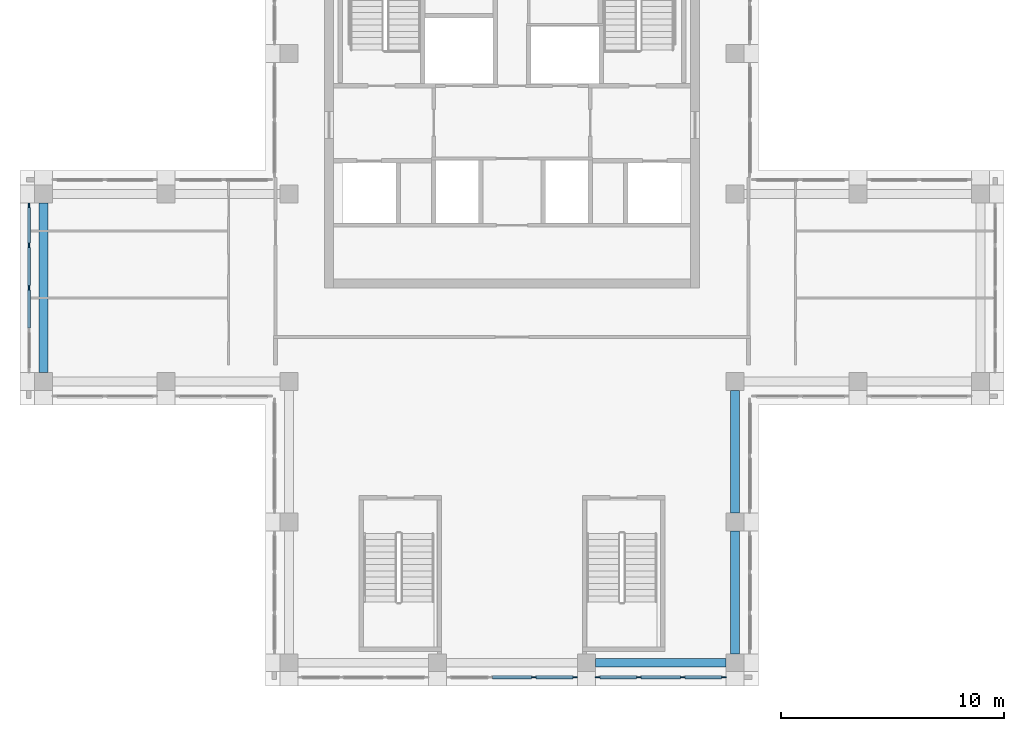
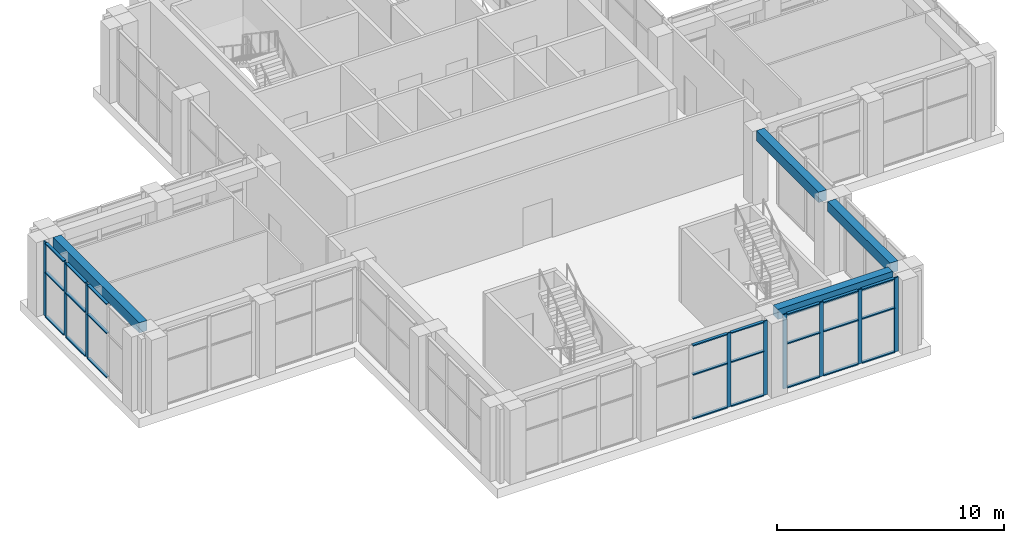
# One storey, part 3 of 14: 33 members, 4 beams, 3 elements without a shape of their own.
"""IFC4 building model written with IfcOpenShell, lengths in metres."""

from ifc_helpers import new_model, si_unit, direction, frame, origin, origin_2d, place, context, subcontext, project, spatial, rectangle, extrude, material, material_profile, profile_set, type_object, element, aggregate, save


model = new_model("IFC4")

# Units and contexts
model_context = context("Model", 3, precision=1e-05, world=origin(), true_north=direction((0.0, 1.0)))
body_context = subcontext(model_context, "Body", "Model", "MODEL_VIEW")
ifc_project = project(units=[si_unit("LENGTHUNIT", "METRE"), si_unit("AREAUNIT", "SQUARE_METRE"), si_unit("VOLUMEUNIT", "CUBIC_METRE"), si_unit("PLANEANGLEUNIT", "RADIAN"), si_unit("MASSUNIT", "GRAM", prefix="KILO")], contexts=[model_context])

# Site, building, storey
site_placement = place(None, origin())
site = spatial("IfcSite", under=ifc_project, at=site_placement, CompositionType="ELEMENT")
building_placement = place(site_placement, origin())
building = spatial("IfcBuilding", under=site, at=building_placement, Name="Vermilion Ogive Tower", CompositionType="ELEMENT")
storey_placement = place(building_placement, frame((0.0, 0.0, 289.35009765625)))
storey = spatial("IfcBuildingStorey", under=building, at=storey_placement, Name="L75", CompositionType="ELEMENT", Elevation=289.35009765625)

# Curtain wall, members
ifc_material_1 = material(Name="Low-iron laminated glazing in aluminium frame", Category="aluminium")
curtain_wall_type = type_object("IfcCurtainWallType", Name="Curtain wall CW3", PredefinedType="NOTDEFINED", material=ifc_material_1)
curtain_wall_1_placement = place(storey_placement, origin())
curtain_wall_1 = element("IfcCurtainWall", 1, at=curtain_wall_1_placement, inside=storey, type_object=curtain_wall_type, Name="CW3 glazing S2", PredefinedType="NOTDEFINED")
ifc_material_2 = material(Name="Aluminium mullion", Category="aluminium")
ifc_material_profile_1 = material_profile(ifc_material_2, rectangle(XDim=0.06005859375, YDim=0.199951171875, at=origin_2d()), Name="AL 60x200")
ifc_profile_set_1 = profile_set([ifc_material_profile_1], Name="Aluminium mullion")
member_type_1 = type_object("IfcMemberType", Name="CW3 mullion 60x200", PredefinedType="MULLION", material=ifc_profile_set_1)
member_1_placement = place(storey_placement, frame((0.977783203125, -13.25, 0.0), z_axis=(0.0, 0.0, 1.0), x_axis=(0.0, 1.0, 0.0)))
member_1 = element("IfcMember", 2, at=member_1_placement, type_object=member_type_1, Name="CW3-S2 mullion 3", PredefinedType="MULLION", context=body_context, shape_type="SweptSolid", body=[
    extrude(rectangle(XDim=0.06005859375, YDim=0.199951171875, at=origin_2d()), origin(), (0.0, 0.0, 1.0), 4.0),
])
member_2_placement = place(storey_placement, frame((2.833251953125, -13.25, 0.0), z_axis=(0.0, 0.0, 1.0), x_axis=(0.0, 1.0, 0.0)))
member_2 = element("IfcMember", 3, at=member_2_placement, type_object=member_type_1, Name="CW3-S2 mullion 4", PredefinedType="MULLION", context=body_context, shape_type="SweptSolid", body=[
    extrude(rectangle(XDim=0.06005859375, YDim=0.199951171875, at=origin_2d()), origin(), (0.0, 0.0, 1.0), 4.0),
])

curtain_wall_2_placement = place(storey_placement, origin())
curtain_wall_2 = element("IfcCurtainWall", 4, at=curtain_wall_2_placement, inside=storey, type_object=curtain_wall_type, Name="CW3 glazing S3", PredefinedType="NOTDEFINED")
member_3_placement = place(storey_placement, frame((3.833251953125, -13.25, 0.0), z_axis=(0.0, 0.0, 1.0), x_axis=(0.0, 1.0, 0.0)))
member_3 = element("IfcMember", 5, at=member_3_placement, type_object=member_type_1, Name="CW3-S3 mullion 1", PredefinedType="MULLION", context=body_context, shape_type="SweptSolid", body=[
    extrude(rectangle(XDim=0.06005859375, YDim=0.199951171875, at=origin_2d()), origin(), (0.0, 0.0, 1.0), 4.0),
])
member_4_placement = place(storey_placement, frame((5.68896484375, -13.25, 0.0), z_axis=(0.0, 0.0, 1.0), x_axis=(0.0, 1.0, 0.0)))
member_4 = element("IfcMember", 6, at=member_4_placement, type_object=member_type_1, Name="CW3-S3 mullion 2", PredefinedType="MULLION", context=body_context, shape_type="SweptSolid", body=[
    extrude(rectangle(XDim=0.06005859375, YDim=0.199951171875, at=origin_2d()), origin(), (0.0, 0.0, 1.0), 4.0),
])
member_5_placement = place(storey_placement, frame((7.64453125, -13.25, 0.0), z_axis=(0.0, 0.0, 1.0), x_axis=(0.0, 1.0, 0.0)))
member_5 = element("IfcMember", 7, at=member_5_placement, type_object=member_type_1, Name="CW3-S3 mullion 3", PredefinedType="MULLION", context=body_context, shape_type="SweptSolid", body=[
    extrude(rectangle(XDim=0.06005859375, YDim=0.199951171875, at=origin_2d()), origin(), (0.0, 0.0, 1.0), 4.0),
])
member_6_placement = place(storey_placement, frame((9.5, -13.25, 0.0), z_axis=(0.0, 0.0, 1.0), x_axis=(0.0, 1.0, 0.0)))
member_6 = element("IfcMember", 8, at=member_6_placement, type_object=member_type_1, Name="CW3-S3 mullion 4", PredefinedType="MULLION", context=body_context, shape_type="SweptSolid", body=[
    extrude(rectangle(XDim=0.06005859375, YDim=0.199951171875, at=origin_2d()), origin(), (0.0, 0.0, 1.0), 4.0),
])

curtain_wall_3_placement = place(storey_placement, origin())
curtain_wall_3 = element("IfcCurtainWall", 9, at=curtain_wall_3_placement, inside=storey, type_object=curtain_wall_type, Name="CW3 glazing W1", PredefinedType="NOTDEFINED")
member_7_placement = place(storey_placement, frame((-21.64990234375, 7.89990234375, 0.0), z_axis=(0.0, 0.0, 1.0), x_axis=(1.0, 0.0, 0.0)))
member_7 = element("IfcMember", 10, at=member_7_placement, type_object=member_type_1, Name="CW3-W1 mullion 1", PredefinedType="MULLION", context=body_context, shape_type="SweptSolid", body=[
    extrude(rectangle(XDim=0.06005859375, YDim=0.199951171875, at=origin_2d()), origin(), (0.0, 0.0, 1.0), 4.0),
])
member_8_placement = place(storey_placement, frame((-21.64990234375, 6.10009765625, 0.0), z_axis=(0.0, 0.0, 1.0), x_axis=(1.0, 0.0, 0.0)))
member_8 = element("IfcMember", 11, at=member_8_placement, type_object=member_type_1, Name="CW3-W1 mullion 2", PredefinedType="MULLION", context=body_context, shape_type="SweptSolid", body=[
    extrude(rectangle(XDim=0.06005859375, YDim=0.199951171875, at=origin_2d()), origin(), (0.0, 0.0, 1.0), 4.0),
])
member_9_placement = place(storey_placement, frame((-21.64990234375, 4.199951171875, 0.0), z_axis=(0.0, 0.0, 1.0), x_axis=(1.0, 0.0, 0.0)))
member_9 = element("IfcMember", 12, at=member_9_placement, type_object=member_type_1, Name="CW3-W1 mullion 3", PredefinedType="MULLION", context=body_context, shape_type="SweptSolid", body=[
    extrude(rectangle(XDim=0.06005859375, YDim=0.199951171875, at=origin_2d()), origin(), (0.0, 0.0, 1.0), 4.0),
])

# Member
ifc_material_3 = material(Name="Aluminium transom", Category="aluminium")
ifc_material_profile_2 = material_profile(ifc_material_3, rectangle(XDim=0.14990234375, YDim=0.06005859375, at=origin_2d()), Name="AL 60x150")
ifc_profile_set_2 = profile_set([ifc_material_profile_2], Name="Aluminium transom")
member_type_2 = type_object("IfcMemberType", Name="CW3 transom 60x150", PredefinedType="USERDEFINED", material=ifc_profile_set_2)
member_10_placement = place(storey_placement, frame((-0.877685546875, -13.25, 0.02978515625), z_axis=(1.0, 0.0, 0.0), x_axis=(0.0, 1.0, 0.0)))
member_10 = element("IfcMember", 13, at=member_10_placement, type_object=member_type_2, Name="CW3-S2 transom 2.1", ObjectType="TRANSOM", PredefinedType="USERDEFINED", context=body_context, shape_type="SweptSolid", body=[
    extrude(rectangle(XDim=0.14990234375, YDim=0.06005859375, at=origin_2d()), origin(), (0.0, 0.0, 1.0), 1.75537109375),
])

member_11_placement = place(storey_placement, frame((-0.877685546875, -13.25, 2.39990234375), z_axis=(1.0, 0.0, 0.0), x_axis=(0.0, 1.0, 0.0)))
member_11 = element("IfcMember", 14, at=member_11_placement, type_object=member_type_2, Name="CW3-S2 transom 2.2", ObjectType="TRANSOM", PredefinedType="USERDEFINED", context=body_context, shape_type="SweptSolid", body=[
    extrude(rectangle(XDim=0.14990234375, YDim=0.06005859375, at=origin_2d()), origin(), (0.0, 0.0, 1.0), 1.75537109375),
])

member_12_placement = place(storey_placement, frame((-0.877685546875, -13.25, 3.969970703125), z_axis=(1.0, 0.0, 0.0), x_axis=(0.0, 1.0, 0.0)))
member_12 = element("IfcMember", 15, at=member_12_placement, type_object=member_type_2, Name="CW3-S2 transom 2.3", ObjectType="TRANSOM", PredefinedType="USERDEFINED", context=body_context, shape_type="SweptSolid", body=[
    extrude(rectangle(XDim=0.14990234375, YDim=0.06005859375, at=origin_2d()), origin(), (0.0, 0.0, 1.0), 1.75537109375),
])

member_13_placement = place(storey_placement, frame((1.077880859375, -13.25, 0.02978515625), z_axis=(1.0, 0.0, 0.0), x_axis=(0.0, 1.0, 0.0)))
member_13 = element("IfcMember", 16, at=member_13_placement, type_object=member_type_2, Name="CW3-S2 transom 3.1", ObjectType="TRANSOM", PredefinedType="USERDEFINED", context=body_context, shape_type="SweptSolid", body=[
    extrude(rectangle(XDim=0.14990234375, YDim=0.06005859375, at=origin_2d()), origin(), (0.0, 0.0, 1.0), 1.655517578125),
])

member_14_placement = place(storey_placement, frame((1.077880859375, -13.25, 2.39990234375), z_axis=(1.0, 0.0, 0.0), x_axis=(0.0, 1.0, 0.0)))
member_14 = element("IfcMember", 17, at=member_14_placement, type_object=member_type_2, Name="CW3-S2 transom 3.2", ObjectType="TRANSOM", PredefinedType="USERDEFINED", context=body_context, shape_type="SweptSolid", body=[
    extrude(rectangle(XDim=0.14990234375, YDim=0.06005859375, at=origin_2d()), origin(), (0.0, 0.0, 1.0), 1.655517578125),
])

member_15_placement = place(storey_placement, frame((1.077880859375, -13.25, 3.969970703125), z_axis=(1.0, 0.0, 0.0), x_axis=(0.0, 1.0, 0.0)))
member_15 = element("IfcMember", 18, at=member_15_placement, type_object=member_type_2, Name="CW3-S2 transom 3.3", ObjectType="TRANSOM", PredefinedType="USERDEFINED", context=body_context, shape_type="SweptSolid", body=[
    extrude(rectangle(XDim=0.14990234375, YDim=0.06005859375, at=origin_2d()), origin(), (0.0, 0.0, 1.0), 1.655517578125),
])

aggregate(curtain_wall_1, [member_1, member_2, member_10, member_11, member_12, member_13, member_14, member_15])

member_16_placement = place(storey_placement, frame((3.933349609375, -13.25, 0.02978515625), z_axis=(1.0, 0.0, 0.0), x_axis=(0.0, 1.0, 0.0)))
member_16 = element("IfcMember", 19, at=member_16_placement, type_object=member_type_2, Name="CW3-S3 transom 1.1", ObjectType="TRANSOM", PredefinedType="USERDEFINED", context=body_context, shape_type="SweptSolid", body=[
    extrude(rectangle(XDim=0.14990234375, YDim=0.06005859375, at=origin_2d()), origin(), (0.0, 0.0, 1.0), 1.655517578125),
])

member_17_placement = place(storey_placement, frame((3.933349609375, -13.25, 2.39990234375), z_axis=(1.0, 0.0, 0.0), x_axis=(0.0, 1.0, 0.0)))
member_17 = element("IfcMember", 20, at=member_17_placement, type_object=member_type_2, Name="CW3-S3 transom 1.2", ObjectType="TRANSOM", PredefinedType="USERDEFINED", context=body_context, shape_type="SweptSolid", body=[
    extrude(rectangle(XDim=0.14990234375, YDim=0.06005859375, at=origin_2d()), origin(), (0.0, 0.0, 1.0), 1.655517578125),
])

member_18_placement = place(storey_placement, frame((3.933349609375, -13.25, 3.969970703125), z_axis=(1.0, 0.0, 0.0), x_axis=(0.0, 1.0, 0.0)))
member_18 = element("IfcMember", 21, at=member_18_placement, type_object=member_type_2, Name="CW3-S3 transom 1.3", ObjectType="TRANSOM", PredefinedType="USERDEFINED", context=body_context, shape_type="SweptSolid", body=[
    extrude(rectangle(XDim=0.14990234375, YDim=0.06005859375, at=origin_2d()), origin(), (0.0, 0.0, 1.0), 1.655517578125),
])

member_19_placement = place(storey_placement, frame((5.788818359375, -13.25, 0.02978515625), z_axis=(1.0, 0.0, 0.0), x_axis=(0.0, 1.0, 0.0)))
member_19 = element("IfcMember", 22, at=member_19_placement, type_object=member_type_2, Name="CW3-S3 transom 2.1", ObjectType="TRANSOM", PredefinedType="USERDEFINED", context=body_context, shape_type="SweptSolid", body=[
    extrude(rectangle(XDim=0.14990234375, YDim=0.06005859375, at=origin_2d()), origin(), (0.0, 0.0, 1.0), 1.755615234375),
])

member_20_placement = place(storey_placement, frame((5.788818359375, -13.25, 2.39990234375), z_axis=(1.0, 0.0, 0.0), x_axis=(0.0, 1.0, 0.0)))
member_20 = element("IfcMember", 23, at=member_20_placement, type_object=member_type_2, Name="CW3-S3 transom 2.2", ObjectType="TRANSOM", PredefinedType="USERDEFINED", context=body_context, shape_type="SweptSolid", body=[
    extrude(rectangle(XDim=0.14990234375, YDim=0.06005859375, at=origin_2d()), origin(), (0.0, 0.0, 1.0), 1.755615234375),
])

member_21_placement = place(storey_placement, frame((5.788818359375, -13.25, 3.969970703125), z_axis=(1.0, 0.0, 0.0), x_axis=(0.0, 1.0, 0.0)))
member_21 = element("IfcMember", 24, at=member_21_placement, type_object=member_type_2, Name="CW3-S3 transom 2.3", ObjectType="TRANSOM", PredefinedType="USERDEFINED", context=body_context, shape_type="SweptSolid", body=[
    extrude(rectangle(XDim=0.14990234375, YDim=0.06005859375, at=origin_2d()), origin(), (0.0, 0.0, 1.0), 1.755615234375),
])

member_22_placement = place(storey_placement, frame((7.744384765625, -13.25, 0.02978515625), z_axis=(1.0, 0.0, 0.0), x_axis=(0.0, 1.0, 0.0)))
member_22 = element("IfcMember", 25, at=member_22_placement, type_object=member_type_2, Name="CW3-S3 transom 3.1", ObjectType="TRANSOM", PredefinedType="USERDEFINED", context=body_context, shape_type="SweptSolid", body=[
    extrude(rectangle(XDim=0.14990234375, YDim=0.06005859375, at=origin_2d()), origin(), (0.0, 0.0, 1.0), 1.655517578125),
])

member_23_placement = place(storey_placement, frame((7.744384765625, -13.25, 2.39990234375), z_axis=(1.0, 0.0, 0.0), x_axis=(0.0, 1.0, 0.0)))
member_23 = element("IfcMember", 26, at=member_23_placement, type_object=member_type_2, Name="CW3-S3 transom 3.2", ObjectType="TRANSOM", PredefinedType="USERDEFINED", context=body_context, shape_type="SweptSolid", body=[
    extrude(rectangle(XDim=0.14990234375, YDim=0.06005859375, at=origin_2d()), origin(), (0.0, 0.0, 1.0), 1.655517578125),
])

member_24_placement = place(storey_placement, frame((7.744384765625, -13.25, 3.969970703125), z_axis=(1.0, 0.0, 0.0), x_axis=(0.0, 1.0, 0.0)))
member_24 = element("IfcMember", 27, at=member_24_placement, type_object=member_type_2, Name="CW3-S3 transom 3.3", ObjectType="TRANSOM", PredefinedType="USERDEFINED", context=body_context, shape_type="SweptSolid", body=[
    extrude(rectangle(XDim=0.14990234375, YDim=0.06005859375, at=origin_2d()), origin(), (0.0, 0.0, 1.0), 1.655517578125),
])

aggregate(curtain_wall_2, [member_3, member_4, member_5, member_6, member_16, member_17, member_18, member_19, member_20, member_21, member_22, member_23, member_24])

member_25_placement = place(storey_placement, frame((-21.64990234375, 7.800048828125, 0.02978515625), z_axis=(0.0, -1.0, 0.0), x_axis=(1.0, 0.0, 0.0)))
member_25 = element("IfcMember", 28, at=member_25_placement, type_object=member_type_2, Name="CW3-W1 transom 1.1", ObjectType="TRANSOM", PredefinedType="USERDEFINED", context=body_context, shape_type="SweptSolid", body=[
    extrude(rectangle(XDim=0.14990234375, YDim=0.06005859375, at=origin_2d()), origin(), (0.0, 0.0, 1.0), 1.60009765625),
])

member_26_placement = place(storey_placement, frame((-21.64990234375, 7.800048828125, 2.39990234375), z_axis=(0.0, -1.0, 0.0), x_axis=(1.0, 0.0, 0.0)))
member_26 = element("IfcMember", 29, at=member_26_placement, type_object=member_type_2, Name="CW3-W1 transom 1.2", ObjectType="TRANSOM", PredefinedType="USERDEFINED", context=body_context, shape_type="SweptSolid", body=[
    extrude(rectangle(XDim=0.14990234375, YDim=0.06005859375, at=origin_2d()), origin(), (0.0, 0.0, 1.0), 1.60009765625),
])

member_27_placement = place(storey_placement, frame((-21.64990234375, 7.800048828125, 3.969970703125), z_axis=(0.0, -1.0, 0.0), x_axis=(1.0, 0.0, 0.0)))
member_27 = element("IfcMember", 30, at=member_27_placement, type_object=member_type_2, Name="CW3-W1 transom 1.3", ObjectType="TRANSOM", PredefinedType="USERDEFINED", context=body_context, shape_type="SweptSolid", body=[
    extrude(rectangle(XDim=0.14990234375, YDim=0.06005859375, at=origin_2d()), origin(), (0.0, 0.0, 1.0), 1.60009765625),
])

member_28_placement = place(storey_placement, frame((-21.64990234375, 6.0, 0.02978515625), z_axis=(0.0, -1.0, 0.0), x_axis=(1.0, 0.0, 0.0)))
member_28 = element("IfcMember", 31, at=member_28_placement, type_object=member_type_2, Name="CW3-W1 transom 2.1", ObjectType="TRANSOM", PredefinedType="USERDEFINED", context=body_context, shape_type="SweptSolid", body=[
    extrude(rectangle(XDim=0.14990234375, YDim=0.06005859375, at=origin_2d()), origin(), (0.0, 0.0, 1.0), 1.699951171875),
])

member_29_placement = place(storey_placement, frame((-21.64990234375, 6.0, 2.39990234375), z_axis=(0.0, -1.0, 0.0), x_axis=(1.0, 0.0, 0.0)))
member_29 = element("IfcMember", 32, at=member_29_placement, type_object=member_type_2, Name="CW3-W1 transom 2.2", ObjectType="TRANSOM", PredefinedType="USERDEFINED", context=body_context, shape_type="SweptSolid", body=[
    extrude(rectangle(XDim=0.14990234375, YDim=0.06005859375, at=origin_2d()), origin(), (0.0, 0.0, 1.0), 1.699951171875),
])

member_30_placement = place(storey_placement, frame((-21.64990234375, 6.0, 3.969970703125), z_axis=(0.0, -1.0, 0.0), x_axis=(1.0, 0.0, 0.0)))
member_30 = element("IfcMember", 33, at=member_30_placement, type_object=member_type_2, Name="CW3-W1 transom 2.3", ObjectType="TRANSOM", PredefinedType="USERDEFINED", context=body_context, shape_type="SweptSolid", body=[
    extrude(rectangle(XDim=0.14990234375, YDim=0.06005859375, at=origin_2d()), origin(), (0.0, 0.0, 1.0), 1.699951171875),
])

member_31_placement = place(storey_placement, frame((-21.64990234375, 4.10009765625, 0.02978515625), z_axis=(0.0, -1.0, 0.0), x_axis=(1.0, 0.0, 0.0)))
member_31 = element("IfcMember", 34, at=member_31_placement, type_object=member_type_2, Name="CW3-W1 transom 3.1", ObjectType="TRANSOM", PredefinedType="USERDEFINED", context=body_context, shape_type="SweptSolid", body=[
    extrude(rectangle(XDim=0.14990234375, YDim=0.06005859375, at=origin_2d()), origin(), (0.0, 0.0, 1.0), 1.7001953125),
])

member_32_placement = place(storey_placement, frame((-21.64990234375, 4.10009765625, 2.39990234375), z_axis=(0.0, -1.0, 0.0), x_axis=(1.0, 0.0, 0.0)))
member_32 = element("IfcMember", 35, at=member_32_placement, type_object=member_type_2, Name="CW3-W1 transom 3.2", ObjectType="TRANSOM", PredefinedType="USERDEFINED", context=body_context, shape_type="SweptSolid", body=[
    extrude(rectangle(XDim=0.14990234375, YDim=0.06005859375, at=origin_2d()), origin(), (0.0, 0.0, 1.0), 1.7001953125),
])

member_33_placement = place(storey_placement, frame((-21.64990234375, 4.10009765625, 3.969970703125), z_axis=(0.0, -1.0, 0.0), x_axis=(1.0, 0.0, 0.0)))
member_33 = element("IfcMember", 36, at=member_33_placement, type_object=member_type_2, Name="CW3-W1 transom 3.3", ObjectType="TRANSOM", PredefinedType="USERDEFINED", context=body_context, shape_type="SweptSolid", body=[
    extrude(rectangle(XDim=0.14990234375, YDim=0.06005859375, at=origin_2d()), origin(), (0.0, 0.0, 1.0), 1.7001953125),
])

aggregate(curtain_wall_3, [member_7, member_8, member_9, member_25, member_26, member_27, member_28, member_29, member_30, member_31, member_32, member_33])

# Beams
ifc_material_4 = material(Name="Concrete B45", Category="concrete")
ifc_material_profile_3 = material_profile(ifc_material_4, rectangle(XDim=0.39990234375, YDim=0.550048828125, at=origin_2d()), Name="400 x 550")
ifc_profile_set_3 = profile_set([ifc_material_profile_3], Name="Concrete B45")
beam_type = type_object("IfcBeamType", Name="Edge beam 400 x 550 B45", PredefinedType="BEAM", material=ifc_profile_set_3)
beam_1_placement = place(storey_placement, frame((3.7333984375, -12.60009765625, 3.724853515625), z_axis=(1.0, 0.0, 0.0), x_axis=(0.0, 1.0, 0.0)))
element("IfcBeam", 37, at=beam_1_placement, inside=storey, type_object=beam_type, Name="L75-EB-3", PredefinedType="BEAM", context=body_context, shape_type="SweptSolid", body=[
    extrude(rectangle(XDim=0.39990234375, YDim=0.550048828125, at=origin_2d()), origin(), (0.0, 0.0, 1.0), 5.86669921875),
])
for number, where, z_axis, x_axis, name in (
    (38, (10.0, -12.199951171875, 3.724853515625), (0.0, 1.0, 0.0), (-1.0, 0.0, 0.0), "L75-EB-4"),
    (39, (10.0, -5.89990234375, 3.724853515625), (0.0, 1.0, 0.0), (-1.0, 0.0, 0.0), "L75-EB-5"),
):
    element("IfcBeam", number, at=place(storey_placement, frame(where, z_axis=z_axis, x_axis=x_axis)), inside=storey, type_object=beam_type, Name=name, PredefinedType="BEAM", context=body_context, shape_type="SweptSolid", body=[
        extrude(rectangle(XDim=0.39990234375, YDim=0.550048828125, at=origin_2d()), origin(), (0.0, 0.0, 1.0), 5.5),
    ])
beam_2_placement = place(storey_placement, frame((-21.0, 8.0, 3.724853515625), z_axis=(0.0, -1.0, 0.0), x_axis=(1.0, 0.0, 0.0)))
element("IfcBeam", 40, at=beam_2_placement, inside=storey, type_object=beam_type, Name="L75-EB-13", PredefinedType="BEAM", context=body_context, shape_type="SweptSolid", body=[
    extrude(rectangle(XDim=0.39990234375, YDim=0.550048828125, at=origin_2d()), origin(), (0.0, 0.0, 1.0), 7.60009765625),
])

save(model, "model.ifc")
